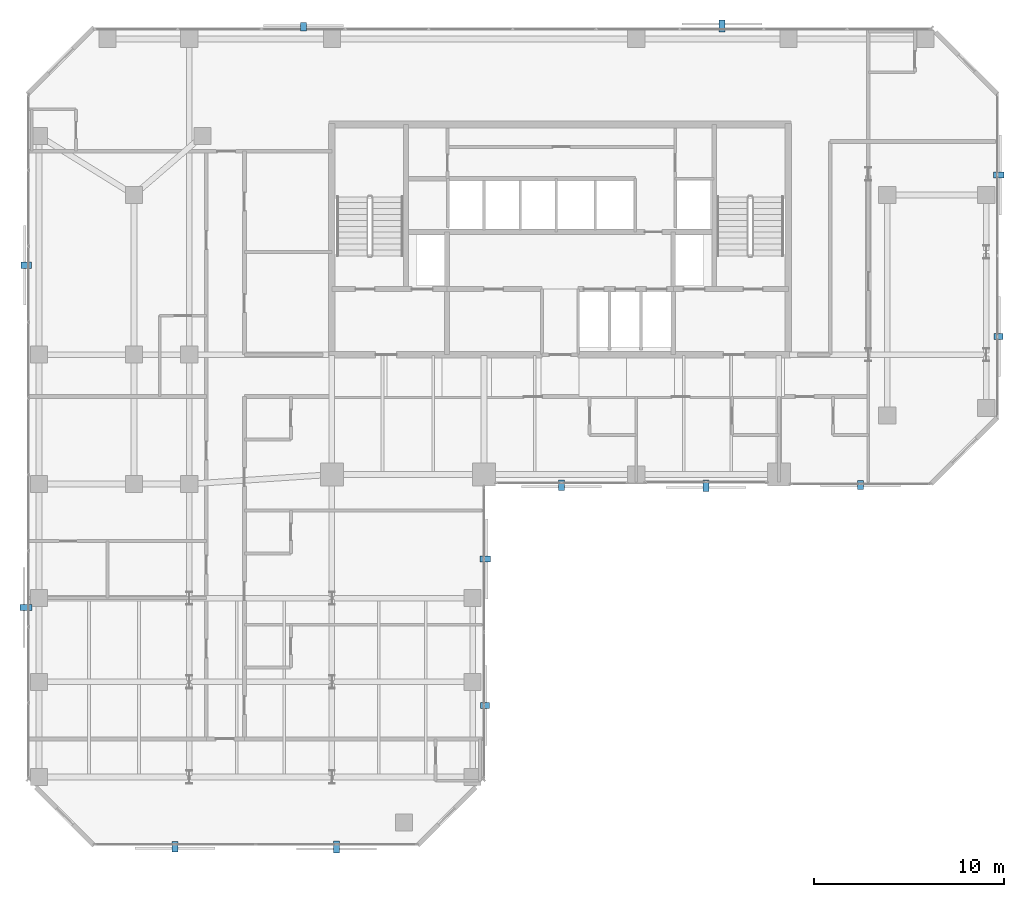
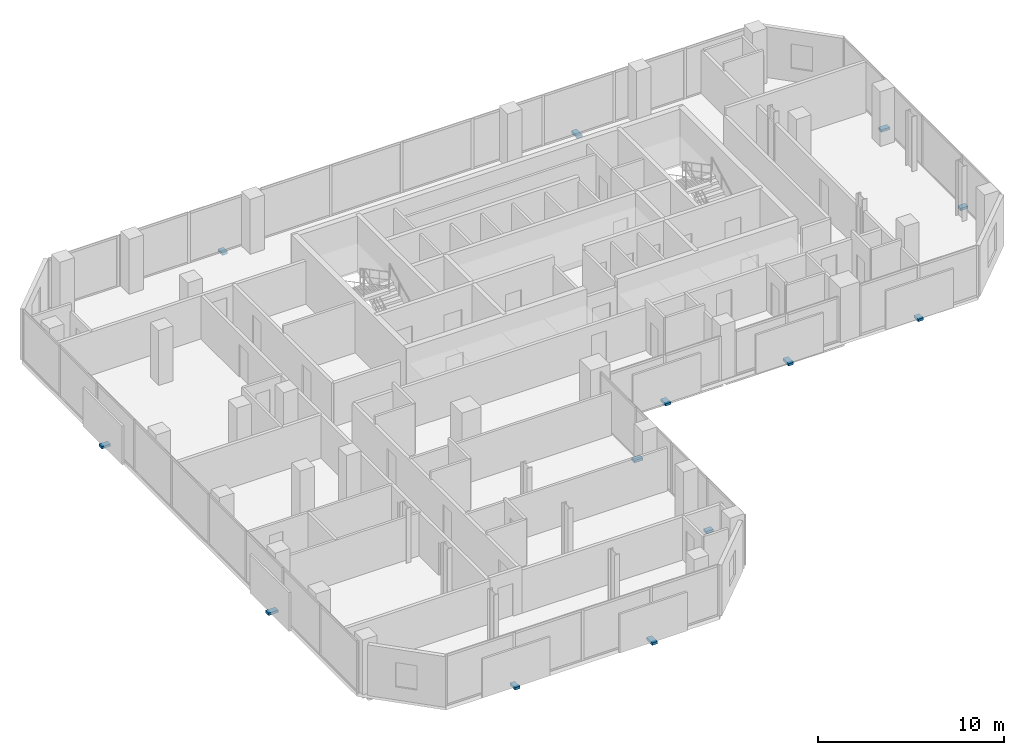
# One storey, part 32 of 34: 13 discrete accessories.
"""IFC4 building model written with IfcOpenShell, lengths in metres."""

from ifc_helpers import new_model, si_unit, direction, frame, origin, origin_2d, place, context, subcontext, project, spatial, rectangle, extrude, material, type_object, element, save


model = new_model("IFC4")

# Units and contexts
model_context = context("Model", 3, precision=1e-05, world=origin(), true_north=direction((0.0, 1.0)))
body_context = subcontext(model_context, "Body", "Model", "MODEL_VIEW")
ifc_project = project(units=[si_unit("LENGTHUNIT", "METRE"), si_unit("AREAUNIT", "SQUARE_METRE"), si_unit("VOLUMEUNIT", "CUBIC_METRE"), si_unit("PLANEANGLEUNIT", "RADIAN"), si_unit("MASSUNIT", "GRAM", prefix="KILO")], contexts=[model_context])

# Site, building, storey
site_placement = place(None, origin())
site = spatial("IfcSite", under=ifc_project, at=site_placement, CompositionType="ELEMENT")
building_placement = place(site_placement, origin())
building = spatial("IfcBuilding", under=site, at=building_placement, Name="Catumbela Crestline Tower", CompositionType="ELEMENT")
storey_placement = place(building_placement, frame((0.0, 0.0, 97.2)))
storey = spatial("IfcBuildingStorey", under=building, at=storey_placement, Name="L24", CompositionType="ELEMENT", Elevation=97.2)

# Discrete accessories
ifc_material = material(Name="Stainless steel EN 1.4401", Category="steel")
discrete_accessory_type = type_object("IfcDiscreteAccessoryType", Name="BK-SS1", PredefinedType="BRACKET", material=ifc_material)
discrete_accessory_1_placement = place(storey_placement, frame((7.75, 4.935, -0.18), z_axis=(0.0, 0.0, 1.0), x_axis=(1.0, 0.0, 0.0)))
element("IfcDiscreteAccessory", 1, at=discrete_accessory_1_placement, inside=storey, type_object=discrete_accessory_type, Name="L24 Solar Screen Stainless Bracket 237", PredefinedType="BRACKET", context=body_context, shape_type="SweptSolid", body=[
    extrude(rectangle(XDim=0.32, YDim=0.54, at=origin_2d()), origin(), (0.0, 0.0, 1.0), 0.16),
])
discrete_accessory_2_placement = place(storey_placement, frame((16.25, 4.915, -0.18), z_axis=(0.0, 0.0, 1.0), x_axis=(1.0, 0.0, 0.0)))
element("IfcDiscreteAccessory", 2, at=discrete_accessory_2_placement, inside=storey, type_object=discrete_accessory_type, Name="L24 Solar Screen Stainless Bracket 238", PredefinedType="BRACKET", context=body_context, shape_type="SweptSolid", body=[
    extrude(rectangle(XDim=0.32, YDim=0.62, at=origin_2d()), origin(), (0.0, 0.0, 1.0), 0.16),
])
discrete_accessory_3_placement = place(storey_placement, frame((24.045, 12.35, -0.18), z_axis=(0.0, 0.0, 1.0), x_axis=(0.0, 1.0, 0.0)))
element("IfcDiscreteAccessory", 3, at=discrete_accessory_3_placement, inside=storey, type_object=discrete_accessory_type, Name="L24 Solar Screen Stainless Bracket 239", PredefinedType="BRACKET", context=body_context, shape_type="SweptSolid", body=[
    extrude(rectangle(XDim=0.32, YDim=0.46, at=origin_2d()), origin(), (0.0, 0.0, 1.0), 0.16),
])
for number, where, z_axis, x_axis, name in (
    (4, (24.065, 20.05, -0.18), (0.0, 0.0, 1.0), (0.0, 1.0, 0.0), "L24 Solar Screen Stainless Bracket 240"),
    (5, (28.075, 23.935, -0.18), (0.0, 0.0, 1.0), (1.0, 0.0, 0.0), "L24 Solar Screen Stainless Bracket 241"),
):
    element("IfcDiscreteAccessory", number, at=place(storey_placement, frame(where, z_axis=z_axis, x_axis=x_axis)), inside=storey, type_object=discrete_accessory_type, Name=name, PredefinedType="BRACKET", context=body_context, shape_type="SweptSolid", body=[
        extrude(rectangle(XDim=0.32, YDim=0.54, at=origin_2d()), origin(), (0.0, 0.0, 1.0), 0.16),
    ])
discrete_accessory_4_placement = place(storey_placement, frame((35.675, 23.915, -0.18), z_axis=(0.0, 0.0, 1.0), x_axis=(1.0, 0.0, 0.0)))
element("IfcDiscreteAccessory", 6, at=discrete_accessory_4_placement, inside=storey, type_object=discrete_accessory_type, Name="L24 Solar Screen Stainless Bracket 242", PredefinedType="BRACKET", context=body_context, shape_type="SweptSolid", body=[
    extrude(rectangle(XDim=0.32, YDim=0.62, at=origin_2d()), origin(), (0.0, 0.0, 1.0), 0.16),
])
for number, where, z_axis, x_axis, name in (
    (7, (43.8, 23.955, -0.18), (0.0, 0.0, 1.0), (1.0, 0.0, 0.0), "L24 Solar Screen Stainless Bracket 243"),
    (8, (51.045, 31.75, -0.18), (0.0, 0.0, 1.0), (0.0, 1.0, 0.0), "L24 Solar Screen Stainless Bracket 244"),
):
    element("IfcDiscreteAccessory", number, at=place(storey_placement, frame(where, z_axis=z_axis, x_axis=x_axis)), inside=storey, type_object=discrete_accessory_type, Name=name, PredefinedType="BRACKET", context=body_context, shape_type="SweptSolid", body=[
        extrude(rectangle(XDim=0.32, YDim=0.46, at=origin_2d()), origin(), (0.0, 0.0, 1.0), 0.16),
    ])
discrete_accessory_5_placement = place(storey_placement, frame((51.065, 40.25, -0.18), z_axis=(0.0, 0.0, 1.0), x_axis=(0.0, 1.0, 0.0)))
element("IfcDiscreteAccessory", 9, at=discrete_accessory_5_placement, inside=storey, type_object=discrete_accessory_type, Name="L24 Solar Screen Stainless Bracket 245", PredefinedType="BRACKET", context=body_context, shape_type="SweptSolid", body=[
    extrude(rectangle(XDim=0.32, YDim=0.54, at=origin_2d()), origin(), (0.0, 0.0, 1.0), 0.16),
])
discrete_accessory_6_placement = place(storey_placement, frame((36.5, 48.085, -0.18), z_axis=(0.0, 0.0, 1.0), x_axis=(-1.0, 0.0, 0.0)))
element("IfcDiscreteAccessory", 10, at=discrete_accessory_6_placement, inside=storey, type_object=discrete_accessory_type, Name="L24 Solar Screen Stainless Bracket 246", PredefinedType="BRACKET", context=body_context, shape_type="SweptSolid", body=[
    extrude(rectangle(XDim=0.32, YDim=0.62, at=origin_2d()), origin(), (0.0, 0.0, 1.0), 0.16),
])
discrete_accessory_7_placement = place(storey_placement, frame((14.5, 48.045, -0.18), z_axis=(0.0, 0.0, 1.0), x_axis=(-1.0, 0.0, 0.0)))
element("IfcDiscreteAccessory", 11, at=discrete_accessory_7_placement, inside=storey, type_object=discrete_accessory_type, Name="L24 Solar Screen Stainless Bracket 247", PredefinedType="BRACKET", context=body_context, shape_type="SweptSolid", body=[
    extrude(rectangle(XDim=0.32, YDim=0.46, at=origin_2d()), origin(), (0.0, 0.0, 1.0), 0.16),
])
discrete_accessory_8_placement = place(storey_placement, frame((-0.065, 35.5, -0.18), z_axis=(0.0, 0.0, 1.0), x_axis=(0.0, -1.0, 0.0)))
element("IfcDiscreteAccessory", 12, at=discrete_accessory_8_placement, inside=storey, type_object=discrete_accessory_type, Name="L24 Solar Screen Stainless Bracket 248", PredefinedType="BRACKET", context=body_context, shape_type="SweptSolid", body=[
    extrude(rectangle(XDim=0.32, YDim=0.54, at=origin_2d()), origin(), (0.0, 0.0, 1.0), 0.16),
])
discrete_accessory_9_placement = place(storey_placement, frame((-0.085, 17.5, -0.18), z_axis=(0.0, 0.0, 1.0), x_axis=(0.0, -1.0, 0.0)))
element("IfcDiscreteAccessory", 13, at=discrete_accessory_9_placement, inside=storey, type_object=discrete_accessory_type, Name="L24 Solar Screen Stainless Bracket 249", PredefinedType="BRACKET", context=body_context, shape_type="SweptSolid", body=[
    extrude(rectangle(XDim=0.32, YDim=0.62, at=origin_2d()), origin(), (0.0, 0.0, 1.0), 0.16),
])

save(model, "model.ifc")
